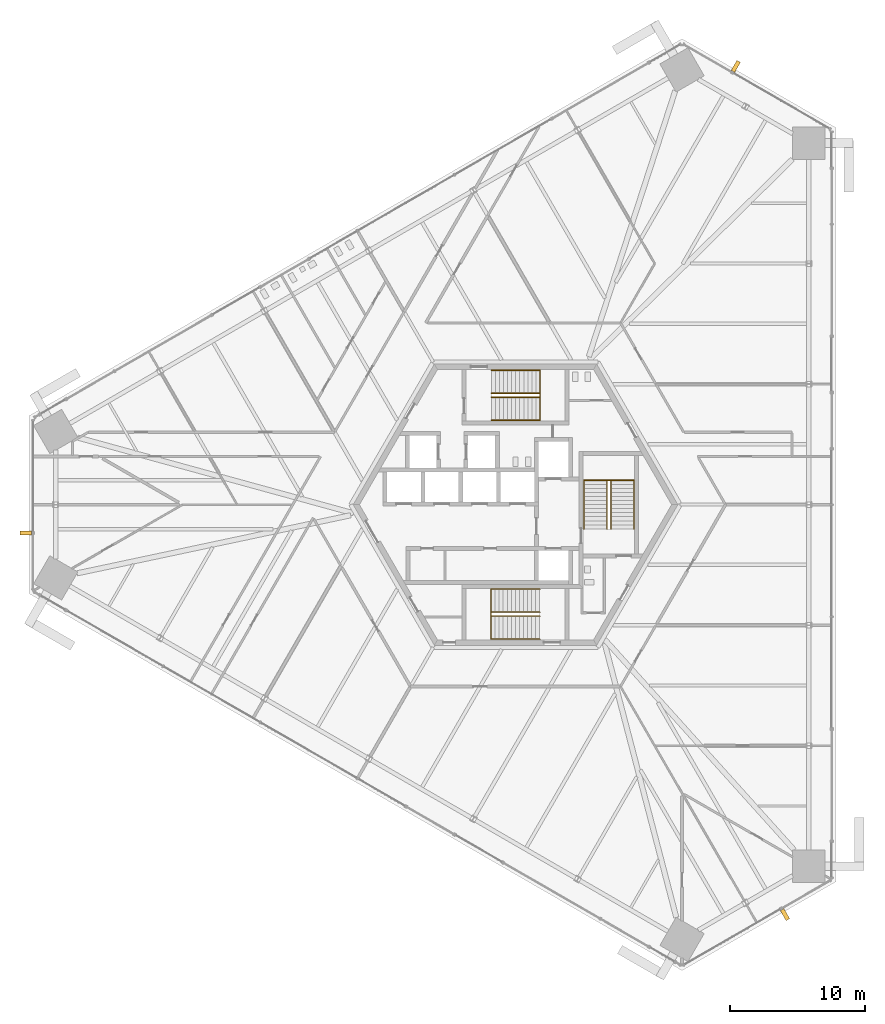
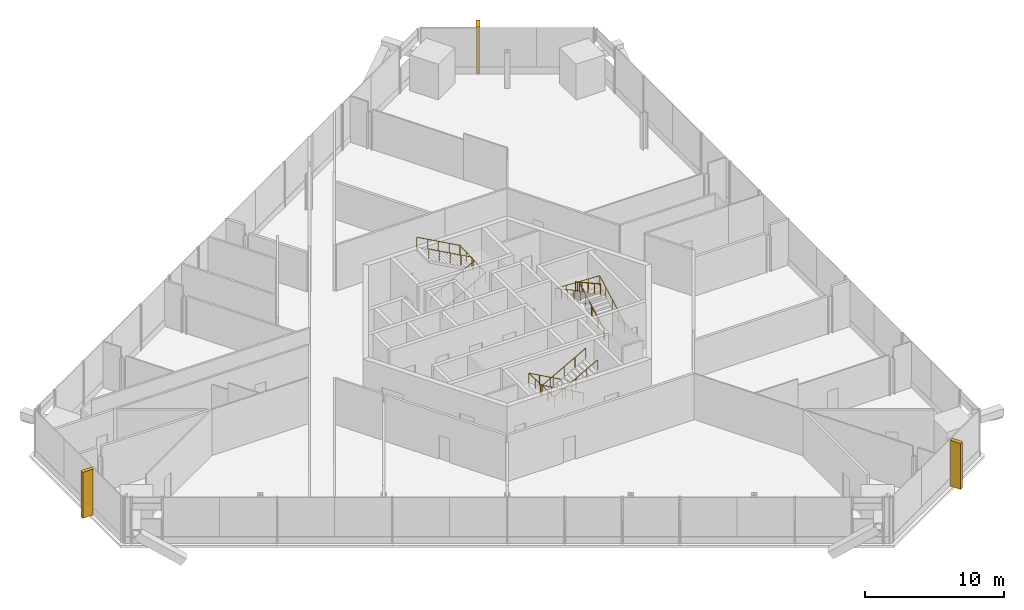
# One storey, part 21 of 22: 6 railings, 3 shading devices.
"""IFC4 building model written with IfcOpenShell, lengths in metres."""

from ifc_helpers import new_model, si_unit, direction, frame, origin, origin_2d, place, context, subcontext, project, spatial, rectangle, circle, extrude, source, transform, mapped, material, type_object, element, save


model = new_model("IFC4")

# Units and contexts
model_context = context("Model", 3, precision=1e-05, world=origin(), true_north=direction((0.0, 1.0)))
body_context = subcontext(model_context, "Body", "Model", "MODEL_VIEW")
ifc_project = project(units=[si_unit("LENGTHUNIT", "METRE"), si_unit("AREAUNIT", "SQUARE_METRE"), si_unit("VOLUMEUNIT", "CUBIC_METRE"), si_unit("PLANEANGLEUNIT", "RADIAN"), si_unit("MASSUNIT", "GRAM", prefix="KILO")], contexts=[model_context])

# Site, building, storey
site_placement = place(None, origin())
site = spatial("IfcSite", under=ifc_project, at=site_placement, CompositionType="ELEMENT")
building_placement = place(site_placement, origin())
building = spatial("IfcBuilding", under=site, at=building_placement, Name="Triune Harvest Tower", CompositionType="ELEMENT")
storey_placement = place(building_placement, frame((0.0, 0.0, 50.39990234375)))
storey = spatial("IfcBuildingStorey", under=building, at=storey_placement, Name="L11", CompositionType="ELEMENT", Elevation=50.39990234375)

# Railings
ifc_material_1 = material(Name="Stainless steel AISI 316", Category="steel")
railing_type = type_object("IfcRailingType", Name="Stair handrail", PredefinedType="HANDRAIL", material=ifc_material_1)
shared_shape_1 = source(origin(), body_context, "Body", "SweptSolid", [
    extrude(circle(Radius=0.02392578125, at=origin_2d()), frame((0.0, 0.0, 0.8759765625), z_axis=(0.875746539262, 0.0, 0.482771166259), x_axis=(0.0, 1.0, 0.0)), (0.0, 0.0, 1.0), 4.11083984375),
    extrude(circle(Radius=0.02392578125, at=origin_2d()), frame((3.60009765625, 0.0, 2.8603515625), z_axis=(0.0, 0.999003709343, 0.04462721948), x_axis=(-1.0, 0.0, 0.0)), (0.0, 0.0, 1.0), 3.70361328125),
    extrude(circle(Radius=0.02392578125, at=origin_2d()), frame((3.60009765625, 3.699951171875, 3.02587890625), z_axis=(-0.875746539262, 0.0, 0.482771166259), x_axis=(0.0, -1.0, 0.0)), (0.0, 0.0, 1.0), 4.11083984375),
    extrude(circle(Radius=0.02099609375, at=origin_2d()), origin(), (0.0, 0.0, 1.0), 0.851806640625),
    extrude(circle(Radius=0.02099609375, at=origin_2d()), frame((0.89990234375, 0.0, 0.49609375)), (0.0, 0.0, 1.0), 0.851806640625),
    extrude(circle(Radius=0.02099609375, at=origin_2d()), frame((1.800048828125, 0.0, 0.9921875)), (0.0, 0.0, 1.0), 0.851806640625),
    extrude(circle(Radius=0.02099609375, at=origin_2d()), frame((2.7001953125, 0.0, 1.488525390625)), (0.0, 0.0, 1.0), 0.851806640625),
    extrude(circle(Radius=0.02099609375, at=origin_2d()), frame((3.60009765625, 0.0, 1.984619140625)), (0.0, 0.0, 1.0), 0.851806640625),
    extrude(circle(Radius=0.02099609375, at=origin_2d()), frame((3.60009765625, 0.925048828125, 2.02587890625)), (0.0, 0.0, 1.0), 0.851806640625),
    extrude(circle(Radius=0.02099609375, at=origin_2d()), frame((3.60009765625, 1.85009765625, 2.0673828125)), (0.0, 0.0, 1.0), 0.851806640625),
    extrude(circle(Radius=0.02099609375, at=origin_2d()), frame((3.60009765625, 2.77490234375, 2.108642578125)), (0.0, 0.0, 1.0), 0.851806640625),
    extrude(circle(Radius=0.02099609375, at=origin_2d()), frame((3.60009765625, 3.699951171875, 2.14990234375)), (0.0, 0.0, 1.0), 0.851806640625),
    extrude(circle(Radius=0.02099609375, at=origin_2d()), frame((2.7001953125, 3.699951171875, 2.64599609375)), (0.0, 0.0, 1.0), 0.851806640625),
    extrude(circle(Radius=0.02099609375, at=origin_2d()), frame((1.800048828125, 3.699951171875, 3.14208984375)), (0.0, 0.0, 1.0), 0.851806640625),
    extrude(circle(Radius=0.02099609375, at=origin_2d()), frame((0.89990234375, 3.699951171875, 3.638427734375)), (0.0, 0.0, 1.0), 0.851806640625),
    extrude(circle(Radius=0.02099609375, at=origin_2d()), frame((0.0, 3.699951171875, 4.134521484375)), (0.0, 0.0, 1.0), 0.851806640625),
])
railing_1_placement = place(storey_placement, frame((-1.7900390625, 6.239990234375, 0.16552734375)))
element("IfcRailing", 1, at=railing_1_placement, inside=storey, type_object=railing_type, Name="Exit stair north wall handrail", PredefinedType="HANDRAIL", context=body_context, shape_type="MappedRepresentation", body=[
    mapped(shared_shape_1, transform((0.0, 0.0, 0.0), scale=1.0)),
])
shared_shape_2 = source(origin(), body_context, "Body", "SweptSolid", [
    extrude(circle(Radius=0.02392578125, at=origin_2d()), frame((0.0, 0.0, 0.8759765625), z_axis=(0.875746539262, 0.0, 0.482771166259), x_axis=(0.0, 1.0, 0.0)), (0.0, 0.0, 1.0), 4.11083984375),
    extrude(circle(Radius=0.02392578125, at=origin_2d()), frame((3.60009765625, 0.0, 2.8603515625), z_axis=(0.0, 0.875899727824, 0.48249317798), x_axis=(-1.0, 0.0, 0.0)), (0.0, 0.0, 1.0), 0.342529296875),
    extrude(circle(Radius=0.02392578125, at=origin_2d()), frame((3.60009765625, 0.300048828125, 3.02587890625), z_axis=(-0.875746539262, 0.0, 0.482771166259), x_axis=(0.0, -1.0, 0.0)), (0.0, 0.0, 1.0), 4.11083984375),
    extrude(circle(Radius=0.02099609375, at=origin_2d()), origin(), (0.0, 0.0, 1.0), 0.851806640625),
    extrude(circle(Radius=0.02099609375, at=origin_2d()), frame((0.89990234375, 0.0, 0.49609375)), (0.0, 0.0, 1.0), 0.851806640625),
    extrude(circle(Radius=0.02099609375, at=origin_2d()), frame((1.800048828125, 0.0, 0.9921875)), (0.0, 0.0, 1.0), 0.851806640625),
    extrude(circle(Radius=0.02099609375, at=origin_2d()), frame((2.7001953125, 0.0, 1.488525390625)), (0.0, 0.0, 1.0), 0.851806640625),
    extrude(circle(Radius=0.02099609375, at=origin_2d()), frame((3.60009765625, 0.0, 1.984619140625)), (0.0, 0.0, 1.0), 0.851806640625),
    extrude(circle(Radius=0.02099609375, at=origin_2d()), frame((3.60009765625, 0.300048828125, 2.14990234375)), (0.0, 0.0, 1.0), 0.851806640625),
    extrude(circle(Radius=0.02099609375, at=origin_2d()), frame((2.7001953125, 0.300048828125, 2.64599609375)), (0.0, 0.0, 1.0), 0.851806640625),
    extrude(circle(Radius=0.02099609375, at=origin_2d()), frame((1.800048828125, 0.300048828125, 3.14208984375)), (0.0, 0.0, 1.0), 0.851806640625),
    extrude(circle(Radius=0.02099609375, at=origin_2d()), frame((0.89990234375, 0.300048828125, 3.638427734375)), (0.0, 0.0, 1.0), 0.851806640625),
    extrude(circle(Radius=0.02099609375, at=origin_2d()), frame((0.0, 0.300048828125, 4.134521484375)), (0.0, 0.0, 1.0), 0.851806640625),
])
railing_2_placement = place(storey_placement, frame((-1.7900390625, 7.93994140625, 0.16552734375)))
element("IfcRailing", 2, at=railing_2_placement, inside=storey, type_object=railing_type, Name="Exit stair north centre handrail", PredefinedType="HANDRAIL", context=body_context, shape_type="MappedRepresentation", body=[
    mapped(shared_shape_2, transform((0.0, 0.0, 0.0), scale=1.0)),
])
shared_shape_3 = source(origin(), body_context, "Body", "SweptSolid", [
    extrude(circle(Radius=0.02392578125, at=origin_2d()), frame((0.0, 0.0, 0.8759765625), z_axis=(-0.875746539262, 0.0, 0.482771166259), x_axis=(0.0, -1.0, 0.0)), (0.0, 0.0, 1.0), 4.11083984375),
    extrude(circle(Radius=0.02392578125, at=origin_2d()), frame((-3.60009765625, 0.0, 2.8603515625), z_axis=(0.0, -0.999003709343, 0.04462721948), x_axis=(1.0, 0.0, 0.0)), (0.0, 0.0, 1.0), 3.70361328125),
    extrude(circle(Radius=0.02392578125, at=origin_2d()), frame((-3.60009765625, -3.699951171875, 3.02587890625), z_axis=(0.875746539262, 0.0, 0.482771166259), x_axis=(0.0, 1.0, 0.0)), (0.0, 0.0, 1.0), 4.11083984375),
    extrude(circle(Radius=0.02099609375, at=origin_2d()), origin(), (0.0, 0.0, 1.0), 0.851806640625),
    extrude(circle(Radius=0.02099609375, at=origin_2d()), frame((-0.89990234375, 0.0, 0.49609375)), (0.0, 0.0, 1.0), 0.851806640625),
    extrude(circle(Radius=0.02099609375, at=origin_2d()), frame((-1.800048828125, 0.0, 0.9921875)), (0.0, 0.0, 1.0), 0.851806640625),
    extrude(circle(Radius=0.02099609375, at=origin_2d()), frame((-2.7001953125, 0.0, 1.488525390625)), (0.0, 0.0, 1.0), 0.851806640625),
    extrude(circle(Radius=0.02099609375, at=origin_2d()), frame((-3.60009765625, 0.0, 1.984619140625)), (0.0, 0.0, 1.0), 0.851806640625),
    extrude(circle(Radius=0.02099609375, at=origin_2d()), frame((-3.60009765625, -0.925048828125, 2.02587890625)), (0.0, 0.0, 1.0), 0.851806640625),
    extrude(circle(Radius=0.02099609375, at=origin_2d()), frame((-3.60009765625, -1.85009765625, 2.0673828125)), (0.0, 0.0, 1.0), 0.851806640625),
    extrude(circle(Radius=0.02099609375, at=origin_2d()), frame((-3.60009765625, -2.77490234375, 2.108642578125)), (0.0, 0.0, 1.0), 0.851806640625),
    extrude(circle(Radius=0.02099609375, at=origin_2d()), frame((-3.60009765625, -3.699951171875, 2.14990234375)), (0.0, 0.0, 1.0), 0.851806640625),
    extrude(circle(Radius=0.02099609375, at=origin_2d()), frame((-2.7001953125, -3.699951171875, 2.64599609375)), (0.0, 0.0, 1.0), 0.851806640625),
    extrude(circle(Radius=0.02099609375, at=origin_2d()), frame((-1.800048828125, -3.699951171875, 3.14208984375)), (0.0, 0.0, 1.0), 0.851806640625),
    extrude(circle(Radius=0.02099609375, at=origin_2d()), frame((-0.89990234375, -3.699951171875, 3.638427734375)), (0.0, 0.0, 1.0), 0.851806640625),
    extrude(circle(Radius=0.02099609375, at=origin_2d()), frame((0.0, -3.699951171875, 4.134521484375)), (0.0, 0.0, 1.0), 0.851806640625),
])
railing_3_placement = place(storey_placement, frame((1.7900390625, -6.239990234375, 0.16552734375)))
element("IfcRailing", 3, at=railing_3_placement, inside=storey, type_object=railing_type, Name="Exit stair south wall handrail", PredefinedType="HANDRAIL", context=body_context, shape_type="MappedRepresentation", body=[
    mapped(shared_shape_3, transform((0.0, 0.0, 0.0), scale=1.0)),
])
shared_shape_4 = source(origin(), body_context, "Body", "SweptSolid", [
    extrude(circle(Radius=0.02392578125, at=origin_2d()), frame((0.0, 0.0, 0.8759765625), z_axis=(-0.875746539262, 0.0, 0.482771166259), x_axis=(0.0, -1.0, 0.0)), (0.0, 0.0, 1.0), 4.11083984375),
    extrude(circle(Radius=0.02392578125, at=origin_2d()), frame((-3.60009765625, 0.0, 2.8603515625), z_axis=(0.0, -0.875899727824, 0.48249317798), x_axis=(1.0, 0.0, 0.0)), (0.0, 0.0, 1.0), 0.342529296875),
    extrude(circle(Radius=0.02392578125, at=origin_2d()), frame((-3.60009765625, -0.300048828125, 3.02587890625), z_axis=(0.875746539262, 0.0, 0.482771166259), x_axis=(0.0, 1.0, 0.0)), (0.0, 0.0, 1.0), 4.11083984375),
    extrude(circle(Radius=0.02099609375, at=origin_2d()), origin(), (0.0, 0.0, 1.0), 0.851806640625),
    extrude(circle(Radius=0.02099609375, at=origin_2d()), frame((-0.89990234375, 0.0, 0.49609375)), (0.0, 0.0, 1.0), 0.851806640625),
    extrude(circle(Radius=0.02099609375, at=origin_2d()), frame((-1.800048828125, 0.0, 0.9921875)), (0.0, 0.0, 1.0), 0.851806640625),
    extrude(circle(Radius=0.02099609375, at=origin_2d()), frame((-2.7001953125, 0.0, 1.488525390625)), (0.0, 0.0, 1.0), 0.851806640625),
    extrude(circle(Radius=0.02099609375, at=origin_2d()), frame((-3.60009765625, 0.0, 1.984619140625)), (0.0, 0.0, 1.0), 0.851806640625),
    extrude(circle(Radius=0.02099609375, at=origin_2d()), frame((-3.60009765625, -0.300048828125, 2.14990234375)), (0.0, 0.0, 1.0), 0.851806640625),
    extrude(circle(Radius=0.02099609375, at=origin_2d()), frame((-2.7001953125, -0.300048828125, 2.64599609375)), (0.0, 0.0, 1.0), 0.851806640625),
    extrude(circle(Radius=0.02099609375, at=origin_2d()), frame((-1.800048828125, -0.300048828125, 3.14208984375)), (0.0, 0.0, 1.0), 0.851806640625),
    extrude(circle(Radius=0.02099609375, at=origin_2d()), frame((-0.89990234375, -0.300048828125, 3.638427734375)), (0.0, 0.0, 1.0), 0.851806640625),
    extrude(circle(Radius=0.02099609375, at=origin_2d()), frame((0.0, -0.300048828125, 4.134521484375)), (0.0, 0.0, 1.0), 0.851806640625),
])
railing_4_placement = place(storey_placement, frame((1.7900390625, -7.93994140625, 0.16552734375)))
element("IfcRailing", 4, at=railing_4_placement, inside=storey, type_object=railing_type, Name="Exit stair south centre handrail", PredefinedType="HANDRAIL", context=body_context, shape_type="MappedRepresentation", body=[
    mapped(shared_shape_4, transform((0.0, 0.0, 0.0), scale=1.0)),
])
shared_shape_5 = source(origin(), body_context, "Body", "SweptSolid", [
    extrude(circle(Radius=0.02392578125, at=origin_2d()), frame((0.0, 0.0, 0.8759765625), z_axis=(0.0, 0.875746539262, 0.482771166259), x_axis=(-1.0, 0.0, 0.0)), (0.0, 0.0, 1.0), 4.11083984375),
    extrude(circle(Radius=0.02392578125, at=origin_2d()), frame((0.0, 3.60009765625, 2.8603515625), z_axis=(-0.999003709343, 0.0, 0.04462721948), x_axis=(0.0, -1.0, 0.0)), (0.0, 0.0, 1.0), 3.70361328125),
    extrude(circle(Radius=0.02392578125, at=origin_2d()), frame((-3.699951171875, 3.60009765625, 3.02587890625), z_axis=(0.0, -0.875746539262, 0.482771166259), x_axis=(1.0, 0.0, 0.0)), (0.0, 0.0, 1.0), 4.11083984375),
    extrude(circle(Radius=0.02099609375, at=origin_2d()), origin(), (0.0, 0.0, 1.0), 0.851806640625),
    extrude(circle(Radius=0.02099609375, at=origin_2d()), frame((0.0, 0.89990234375, 0.49609375)), (0.0, 0.0, 1.0), 0.851806640625),
    extrude(circle(Radius=0.02099609375, at=origin_2d()), frame((0.0, 1.800048828125, 0.9921875)), (0.0, 0.0, 1.0), 0.851806640625),
    extrude(circle(Radius=0.02099609375, at=origin_2d()), frame((0.0, 2.7001953125, 1.488525390625)), (0.0, 0.0, 1.0), 0.851806640625),
    extrude(circle(Radius=0.02099609375, at=origin_2d()), frame((0.0, 3.60009765625, 1.984619140625)), (0.0, 0.0, 1.0), 0.851806640625),
    extrude(circle(Radius=0.02099609375, at=origin_2d()), frame((-0.925048828125, 3.60009765625, 2.02587890625)), (0.0, 0.0, 1.0), 0.851806640625),
    extrude(circle(Radius=0.02099609375, at=origin_2d()), frame((-1.85009765625, 3.60009765625, 2.0673828125)), (0.0, 0.0, 1.0), 0.851806640625),
    extrude(circle(Radius=0.02099609375, at=origin_2d()), frame((-2.77490234375, 3.60009765625, 2.108642578125)), (0.0, 0.0, 1.0), 0.851806640625),
    extrude(circle(Radius=0.02099609375, at=origin_2d()), frame((-3.699951171875, 3.60009765625, 2.14990234375)), (0.0, 0.0, 1.0), 0.851806640625),
    extrude(circle(Radius=0.02099609375, at=origin_2d()), frame((-3.699951171875, 2.7001953125, 2.64599609375)), (0.0, 0.0, 1.0), 0.851806640625),
    extrude(circle(Radius=0.02099609375, at=origin_2d()), frame((-3.699951171875, 1.800048828125, 3.14208984375)), (0.0, 0.0, 1.0), 0.851806640625),
    extrude(circle(Radius=0.02099609375, at=origin_2d()), frame((-3.699951171875, 0.89990234375, 3.638427734375)), (0.0, 0.0, 1.0), 0.851806640625),
    extrude(circle(Radius=0.02099609375, at=origin_2d()), frame((-3.699951171875, 0.0, 4.134521484375)), (0.0, 0.0, 1.0), 0.851806640625),
])
railing_5_placement = place(storey_placement, frame((8.75, -1.7900390625, 0.16552734375)))
element("IfcRailing", 5, at=railing_5_placement, inside=storey, type_object=railing_type, Name="Exit stair east wall handrail", PredefinedType="HANDRAIL", context=body_context, shape_type="MappedRepresentation", body=[
    mapped(shared_shape_5, transform((0.0, 0.0, 0.0), scale=1.0)),
])
shared_shape_6 = source(origin(), body_context, "Body", "SweptSolid", [
    extrude(circle(Radius=0.02392578125, at=origin_2d()), frame((0.0, 0.0, 0.8759765625), z_axis=(0.0, 0.875746539262, 0.482771166259), x_axis=(-1.0, 0.0, 0.0)), (0.0, 0.0, 1.0), 4.11083984375),
    extrude(circle(Radius=0.02392578125, at=origin_2d()), frame((0.0, 3.60009765625, 2.8603515625), z_axis=(-0.875899727824, 0.0, 0.48249317798), x_axis=(0.0, -1.0, 0.0)), (0.0, 0.0, 1.0), 0.342529296875),
    extrude(circle(Radius=0.02392578125, at=origin_2d()), frame((-0.300048828125, 3.60009765625, 3.02587890625), z_axis=(0.0, -0.875746539262, 0.482771166259), x_axis=(1.0, 0.0, 0.0)), (0.0, 0.0, 1.0), 4.11083984375),
    extrude(circle(Radius=0.02099609375, at=origin_2d()), origin(), (0.0, 0.0, 1.0), 0.851806640625),
    extrude(circle(Radius=0.02099609375, at=origin_2d()), frame((0.0, 0.89990234375, 0.49609375)), (0.0, 0.0, 1.0), 0.851806640625),
    extrude(circle(Radius=0.02099609375, at=origin_2d()), frame((0.0, 1.800048828125, 0.9921875)), (0.0, 0.0, 1.0), 0.851806640625),
    extrude(circle(Radius=0.02099609375, at=origin_2d()), frame((0.0, 2.7001953125, 1.488525390625)), (0.0, 0.0, 1.0), 0.851806640625),
    extrude(circle(Radius=0.02099609375, at=origin_2d()), frame((0.0, 3.60009765625, 1.984619140625)), (0.0, 0.0, 1.0), 0.851806640625),
    extrude(circle(Radius=0.02099609375, at=origin_2d()), frame((-0.300048828125, 3.60009765625, 2.14990234375)), (0.0, 0.0, 1.0), 0.851806640625),
    extrude(circle(Radius=0.02099609375, at=origin_2d()), frame((-0.300048828125, 2.7001953125, 2.64599609375)), (0.0, 0.0, 1.0), 0.851806640625),
    extrude(circle(Radius=0.02099609375, at=origin_2d()), frame((-0.300048828125, 1.800048828125, 3.14208984375)), (0.0, 0.0, 1.0), 0.851806640625),
    extrude(circle(Radius=0.02099609375, at=origin_2d()), frame((-0.300048828125, 0.89990234375, 3.638427734375)), (0.0, 0.0, 1.0), 0.851806640625),
    extrude(circle(Radius=0.02099609375, at=origin_2d()), frame((-0.300048828125, 0.0, 4.134521484375)), (0.0, 0.0, 1.0), 0.851806640625),
])
railing_6_placement = place(storey_placement, frame((7.050048828125, -1.7900390625, 0.16552734375)))
element("IfcRailing", 6, at=railing_6_placement, inside=storey, type_object=railing_type, Name="Exit stair east centre handrail", PredefinedType="HANDRAIL", context=body_context, shape_type="MappedRepresentation", body=[
    mapped(shared_shape_6, transform((0.0, 0.0, 0.0), scale=1.0)),
])

# Shading devices
ifc_material_2 = material(Name="Aluminium bronze anodised", Category="aluminium")
shared_shape_7 = source(origin(), body_context, "Body", "SweptSolid", [
    extrude(rectangle(XDim=0.300048828125, YDim=0.85009765625, at=origin_2d()), origin(), (0.0, 0.0, 1.0), 4.050048828125),
])
for number, where, z_axis, x_axis, name in (
    (7, (16.284912109375, 32.404296875, 0.0), (0.0, 0.0, 1.0), (-0.866026145592, 0.499998715149, 0.0), "FN-2 fin B1-F2.3 L11"),
    (8, (-36.20556640625, -2.098876953125, 0.0), (0.0, 0.0, 1.0), (0.0, -1.0, 0.0), "FN-2 fin B1-F4.3 L11"),
    (9, (19.92041015625, -30.305419921875, 0.0), (0.0, 0.0, 1.0), (0.866026145592, 0.499998715149, 0.0), "FN-2 fin B1-F6.3 L11"),
):
    element("IfcShadingDevice", number, at=place(storey_placement, frame(where, z_axis=z_axis, x_axis=x_axis)), inside=storey, material=ifc_material_2, Name=name, ObjectType="FIN", PredefinedType="USERDEFINED", context=body_context, shape_type="MappedRepresentation", body=[
        mapped(shared_shape_7, transform((0.0, 0.0, 0.0), scale=1.0)),
    ])

save(model, "model.ifc")
